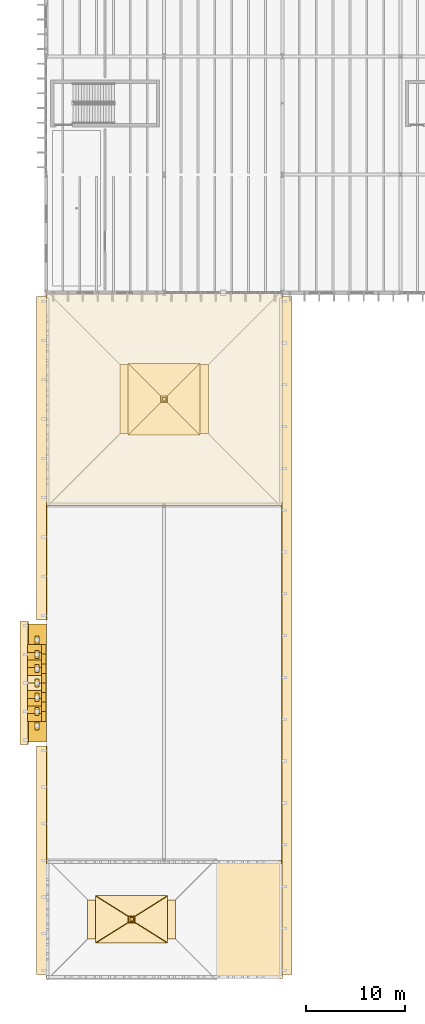
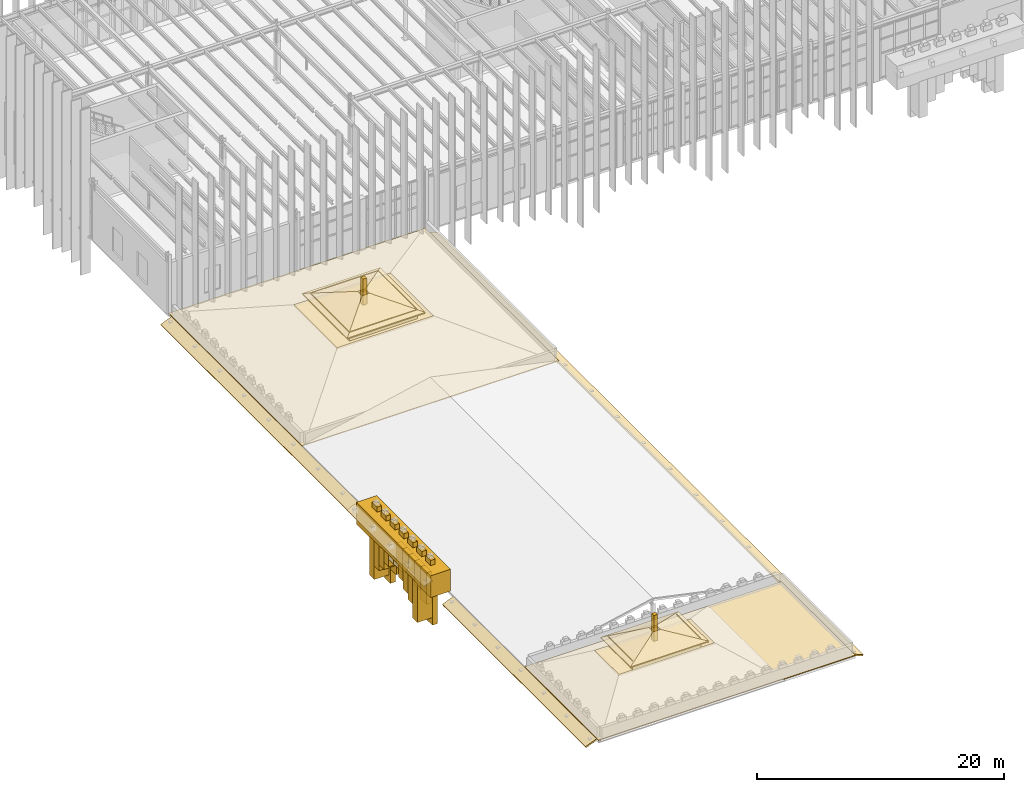
# One storey, part 59 of 83: 46 coverings.
"""IFC4 building model written with IfcOpenShell, lengths in metres."""

from ifc_helpers import new_model, si_unit, direction, frame, origin, place, context, subcontext, project, spatial, polyline, outline, extrude, material, layer, layer_set, type_object, element, save


model = new_model("IFC4")

# Units and contexts
model_context = context("Model", 3, precision=1e-05, world=origin(), true_north=direction((0.0, 1.0)))
body_context = subcontext(model_context, "Body", "Model", "MODEL_VIEW")
ifc_project = project(units=[si_unit("LENGTHUNIT", "METRE"), si_unit("AREAUNIT", "SQUARE_METRE"), si_unit("VOLUMEUNIT", "CUBIC_METRE"), si_unit("PLANEANGLEUNIT", "RADIAN"), si_unit("MASSUNIT", "GRAM", prefix="KILO")], contexts=[model_context])

# Site, building, storey
site_placement = place(None, origin())
site = spatial("IfcSite", under=ifc_project, at=site_placement, CompositionType="ELEMENT")
building_placement = place(site_placement, origin())
building = spatial("IfcBuilding", under=site, at=building_placement, Name="Zlatogorsky Bluff Art Gallery", CompositionType="ELEMENT")
storey_placement = place(building_placement, frame((0.0, 0.0, 10.800048828125)))
storey = spatial("IfcBuildingStorey", under=building, at=storey_placement, Name="L02", CompositionType="ELEMENT", Elevation=10.800048828125)

# Coverings
ifc_material_1 = material(Name="Honed Red Agra-Tone Quartzitic Sandstone", Category="masonry")
ifc_layer_1 = layer(ifc_material_1, 0.1201171875)
ifc_layer_set_1 = layer_set([ifc_layer_1], Name="Carved Sandstone Cladding CLD-02")
covering_type_1 = type_object("IfcCoveringType", Name="Carved Sandstone Cladding CLD-02", PredefinedType="CLADDING", material=ifc_layer_set_1)
covering_1_placement = place(storey_placement, frame((0.0, 0.0, 0.25)))
element("IfcCovering", 1, at=covering_1_placement, inside=storey, type_object=covering_type_1, Name="Pishtaq portal crown entablature PISHTAQ-SW-AUD", PredefinedType="CLADDING", context=body_context, shape_type="SweptSolid", body=[
    extrude(outline(polyline([(-1.85009765625, 38.39990234375), (-1.85009765625, 50.39990234375), (0.0400390625, 50.39990234375), (0.0400390625, 38.39990234375), (-1.85009765625, 38.39990234375)])), origin(), (0.0, 0.0, 1.0), 2.14990234375),
])
covering_2_placement = place(storey_placement, frame((0.0, 0.0, -3.485595703125)))
element("IfcCovering", 2, at=covering_2_placement, inside=storey, type_object=covering_type_1, Name="Pointed Mughal arch voussoir spandrel PISHTAQ-SW-AUD-ARCH.1", PredefinedType="CLADDING", context=body_context, shape_type="SweptSolid", body=[
    extrude(outline(polyline([(-1.85009765625, 40.510009765625), (-1.85009765625, 41.2880859375), (-0.389892578125, 41.2880859375), (-0.389892578125, 40.510009765625), (-1.85009765625, 40.510009765625)])), origin(), (0.0, 0.0, 1.0), 3.83544921875),
])
covering_3_placement = place(storey_placement, frame((0.0, 0.0, -2.1328125)))
element("IfcCovering", 3, at=covering_3_placement, inside=storey, type_object=covering_type_1, Name="Pointed Mughal arch voussoir spandrel PISHTAQ-SW-AUD-ARCH.2", PredefinedType="CLADDING", context=body_context, shape_type="SweptSolid", body=[
    extrude(outline(polyline([(-1.85009765625, 41.2880859375), (-1.85009765625, 42.06591796875), (-0.389892578125, 42.06591796875), (-0.389892578125, 41.2880859375), (-1.85009765625, 41.2880859375)])), origin(), (0.0, 0.0, 1.0), 2.482666015625),
])
covering_4_placement = place(storey_placement, frame((0.0, 0.0, -1.55126953125)))
element("IfcCovering", 4, at=covering_4_placement, inside=storey, type_object=covering_type_1, Name="Pointed Mughal arch voussoir spandrel PISHTAQ-SW-AUD-ARCH.3", PredefinedType="CLADDING", context=body_context, shape_type="SweptSolid", body=[
    extrude(outline(polyline([(-1.85009765625, 42.06591796875), (-1.85009765625, 42.843994140625), (-0.389892578125, 42.843994140625), (-0.389892578125, 42.06591796875), (-1.85009765625, 42.06591796875)])), origin(), (0.0, 0.0, 1.0), 1.901123046875),
])
covering_5_placement = place(storey_placement, frame((0.0, 0.0, -0.80810546875)))
element("IfcCovering", 5, at=covering_5_placement, inside=storey, type_object=covering_type_1, Name="Pointed Mughal arch voussoir spandrel PISHTAQ-SW-AUD-ARCH.4", PredefinedType="CLADDING", context=body_context, shape_type="SweptSolid", body=[
    extrude(outline(polyline([(-1.85009765625, 42.843994140625), (-1.85009765625, 43.6220703125), (-0.389892578125, 43.6220703125), (-0.389892578125, 42.843994140625), (-1.85009765625, 42.843994140625)])), origin(), (0.0, 0.0, 1.0), 1.157958984375),
])
covering_6_placement = place(storey_placement, frame((0.0, 0.0, -0.053955078125)))
element("IfcCovering", 6, at=covering_6_placement, inside=storey, type_object=covering_type_1, Name="Pointed Mughal arch voussoir spandrel PISHTAQ-SW-AUD-ARCH.5", PredefinedType="CLADDING", context=body_context, shape_type="SweptSolid", body=[
    extrude(outline(polyline([(-1.85009765625, 43.6220703125), (-1.85009765625, 44.39990234375), (-0.389892578125, 44.39990234375), (-0.389892578125, 43.6220703125), (-1.85009765625, 43.6220703125)])), origin(), (0.0, 0.0, 1.0), 0.40380859375),
])
covering_7_placement = place(storey_placement, frame((0.0, 0.0, -0.053955078125)))
element("IfcCovering", 7, at=covering_7_placement, inside=storey, type_object=covering_type_1, Name="Pointed Mughal arch voussoir spandrel PISHTAQ-SW-AUD-ARCH.6", PredefinedType="CLADDING", context=body_context, shape_type="SweptSolid", body=[
    extrude(outline(polyline([(-1.85009765625, 44.39990234375), (-1.85009765625, 45.177978515625), (-0.389892578125, 45.177978515625), (-0.389892578125, 44.39990234375), (-1.85009765625, 44.39990234375)])), origin(), (0.0, 0.0, 1.0), 0.40380859375),
])
covering_8_placement = place(storey_placement, frame((0.0, 0.0, -0.80810546875)))
element("IfcCovering", 8, at=covering_8_placement, inside=storey, type_object=covering_type_1, Name="Pointed Mughal arch voussoir spandrel PISHTAQ-SW-AUD-ARCH.7", PredefinedType="CLADDING", context=body_context, shape_type="SweptSolid", body=[
    extrude(outline(polyline([(-1.85009765625, 45.177978515625), (-1.85009765625, 45.9560546875), (-0.389892578125, 45.9560546875), (-0.389892578125, 45.177978515625), (-1.85009765625, 45.177978515625)])), origin(), (0.0, 0.0, 1.0), 1.157958984375),
])
covering_9_placement = place(storey_placement, frame((0.0, 0.0, -1.55126953125)))
element("IfcCovering", 9, at=covering_9_placement, inside=storey, type_object=covering_type_1, Name="Pointed Mughal arch voussoir spandrel PISHTAQ-SW-AUD-ARCH.8", PredefinedType="CLADDING", context=body_context, shape_type="SweptSolid", body=[
    extrude(outline(polyline([(-1.85009765625, 45.9560546875), (-1.85009765625, 46.73388671875), (-0.389892578125, 46.73388671875), (-0.389892578125, 45.9560546875), (-1.85009765625, 45.9560546875)])), origin(), (0.0, 0.0, 1.0), 1.901123046875),
])
covering_10_placement = place(storey_placement, frame((0.0, 0.0, -2.1328125)))
element("IfcCovering", 10, at=covering_10_placement, inside=storey, type_object=covering_type_1, Name="Pointed Mughal arch voussoir spandrel PISHTAQ-SW-AUD-ARCH.9", PredefinedType="CLADDING", context=body_context, shape_type="SweptSolid", body=[
    extrude(outline(polyline([(-1.85009765625, 46.73388671875), (-1.85009765625, 47.511962890625), (-0.389892578125, 47.511962890625), (-0.389892578125, 46.73388671875), (-1.85009765625, 46.73388671875)])), origin(), (0.0, 0.0, 1.0), 2.482666015625),
])
covering_11_placement = place(storey_placement, frame((0.0, 0.0, -3.485595703125)))
element("IfcCovering", 11, at=covering_11_placement, inside=storey, type_object=covering_type_1, Name="Pointed Mughal arch voussoir spandrel PISHTAQ-SW-AUD-ARCH.10", PredefinedType="CLADDING", context=body_context, shape_type="SweptSolid", body=[
    extrude(outline(polyline([(-1.85009765625, 47.511962890625), (-1.85009765625, 48.2900390625), (-0.389892578125, 48.2900390625), (-0.389892578125, 47.511962890625), (-1.85009765625, 47.511962890625)])), origin(), (0.0, 0.0, 1.0), 3.83544921875),
])
covering_12_placement = place(storey_placement, frame((0.0, 0.0, -4.245849609375)))
element("IfcCovering", 12, at=covering_12_placement, inside=storey, type_object=covering_type_1, Name="Pointed Mughal arch voussoir spandrel PISHTAQ-SW-AUD-IWAN.1", PredefinedType="CLADDING", context=body_context, shape_type="SweptSolid", body=[
    extrude(outline(polyline([(-0.4599609375, 40.510009765625), (-0.4599609375, 41.482421875), (0.030029296875, 41.482421875), (0.030029296875, 40.510009765625), (-0.4599609375, 40.510009765625)])), origin(), (0.0, 0.0, 1.0), 4.595703125),
])
covering_13_placement = place(storey_placement, frame((0.0, 0.0, -2.79931640625)))
element("IfcCovering", 13, at=covering_13_placement, inside=storey, type_object=covering_type_1, Name="Pointed Mughal arch voussoir spandrel PISHTAQ-SW-AUD-IWAN.2", PredefinedType="CLADDING", context=body_context, shape_type="SweptSolid", body=[
    extrude(outline(polyline([(-0.4599609375, 41.482421875), (-0.4599609375, 42.455078125), (0.030029296875, 42.455078125), (0.030029296875, 41.482421875), (-0.4599609375, 41.482421875)])), origin(), (0.0, 0.0, 1.0), 3.149169921875),
])
covering_14_placement = place(storey_placement, frame((0.0, 0.0, -2.001708984375)))
element("IfcCovering", 14, at=covering_14_placement, inside=storey, type_object=covering_type_1, Name="Pointed Mughal arch voussoir spandrel PISHTAQ-SW-AUD-IWAN.3", PredefinedType="CLADDING", context=body_context, shape_type="SweptSolid", body=[
    extrude(outline(polyline([(-0.4599609375, 42.455078125), (-0.4599609375, 43.427490234375), (0.030029296875, 43.427490234375), (0.030029296875, 42.455078125), (-0.4599609375, 42.455078125)])), origin(), (0.0, 0.0, 1.0), 2.3515625),
])
covering_15_placement = place(storey_placement, frame((0.0, 0.0, -0.998291015625)))
element("IfcCovering", 15, at=covering_15_placement, inside=storey, type_object=covering_type_1, Name="Pointed Mughal arch voussoir spandrel PISHTAQ-SW-AUD-IWAN.4", PredefinedType="CLADDING", context=body_context, shape_type="SweptSolid", body=[
    extrude(outline(polyline([(-0.4599609375, 43.427490234375), (-0.4599609375, 44.39990234375), (0.030029296875, 44.39990234375), (0.030029296875, 43.427490234375), (-0.4599609375, 43.427490234375)])), origin(), (0.0, 0.0, 1.0), 1.34814453125),
])
covering_16_placement = place(storey_placement, frame((0.0, 0.0, -0.998291015625)))
element("IfcCovering", 16, at=covering_16_placement, inside=storey, type_object=covering_type_1, Name="Pointed Mughal arch voussoir spandrel PISHTAQ-SW-AUD-IWAN.5", PredefinedType="CLADDING", context=body_context, shape_type="SweptSolid", body=[
    extrude(outline(polyline([(-0.4599609375, 44.39990234375), (-0.4599609375, 45.37255859375), (0.030029296875, 45.37255859375), (0.030029296875, 44.39990234375), (-0.4599609375, 44.39990234375)])), origin(), (0.0, 0.0, 1.0), 1.34814453125),
])
covering_17_placement = place(storey_placement, frame((0.0, 0.0, -2.001708984375)))
element("IfcCovering", 17, at=covering_17_placement, inside=storey, type_object=covering_type_1, Name="Pointed Mughal arch voussoir spandrel PISHTAQ-SW-AUD-IWAN.6", PredefinedType="CLADDING", context=body_context, shape_type="SweptSolid", body=[
    extrude(outline(polyline([(-0.4599609375, 45.37255859375), (-0.4599609375, 46.344970703125), (0.030029296875, 46.344970703125), (0.030029296875, 45.37255859375), (-0.4599609375, 45.37255859375)])), origin(), (0.0, 0.0, 1.0), 2.3515625),
])
covering_18_placement = place(storey_placement, frame((0.0, 0.0, -2.79931640625)))
element("IfcCovering", 18, at=covering_18_placement, inside=storey, type_object=covering_type_1, Name="Pointed Mughal arch voussoir spandrel PISHTAQ-SW-AUD-IWAN.7", PredefinedType="CLADDING", context=body_context, shape_type="SweptSolid", body=[
    extrude(outline(polyline([(-0.4599609375, 46.344970703125), (-0.4599609375, 47.3173828125), (0.030029296875, 47.3173828125), (0.030029296875, 46.344970703125), (-0.4599609375, 46.344970703125)])), origin(), (0.0, 0.0, 1.0), 3.149169921875),
])
covering_19_placement = place(storey_placement, frame((0.0, 0.0, -4.245849609375)))
element("IfcCovering", 19, at=covering_19_placement, inside=storey, type_object=covering_type_1, Name="Pointed Mughal arch voussoir spandrel PISHTAQ-SW-AUD-IWAN.8", PredefinedType="CLADDING", context=body_context, shape_type="SweptSolid", body=[
    extrude(outline(polyline([(-0.4599609375, 47.3173828125), (-0.4599609375, 48.2900390625), (0.030029296875, 48.2900390625), (0.030029296875, 47.3173828125), (-0.4599609375, 47.3173828125)])), origin(), (0.0, 0.0, 1.0), 4.595703125),
])
covering_20_placement = place(storey_placement, frame((-1.81005859375, 38.14990234375, 2.119873046875), z_axis=(-0.382934866125, 0.0, 0.923775345149), x_axis=(0.0, 1.0, 0.0)))
element("IfcCovering", 20, at=covering_20_placement, inside=storey, type_object=covering_type_1, Name="Projecting sloped Mughal chhajja stone eave PISHTAQ-SW-AUD-CHJ", PredefinedType="CLADDING", context=body_context, shape_type="SweptSolid", body=[
    extrude(outline(polyline([(0.0, 0.0), (12.5, 0.0), (12.5, 0.8874714215472577), (0.0, 0.8874714215472577), (0.0, 0.0)])), origin(), (0.0, 0.0, -1.0), 0.139892578125),
])
covering_21_placement = place(storey_placement, frame((0.0, 0.0, 2.369873046875)))
element("IfcCovering", 21, at=covering_21_placement, inside=storey, type_object=covering_type_1, Name="Kangura stepped merlon base PISHTAQ-SW-AUD.1", PredefinedType="CLADDING", context=body_context, shape_type="SweptSolid", body=[
    extrude(outline(polyline([(-1.114990234375, 39.639892578125), (-1.114990234375, 40.4599609375), (-0.695068359375, 40.4599609375), (-0.695068359375, 39.639892578125), (-1.114990234375, 39.639892578125)])), origin(), (0.0, 0.0, 1.0), 0.53857421875),
])
covering_22_placement = place(storey_placement, frame((0.0, 0.0, 2.369873046875)))
element("IfcCovering", 22, at=covering_22_placement, inside=storey, type_object=covering_type_1, Name="Kangura stepped merlon base PISHTAQ-SW-AUD.2", PredefinedType="CLADDING", context=body_context, shape_type="SweptSolid", body=[
    extrude(outline(polyline([(-1.114990234375, 41.090087890625), (-1.114990234375, 41.909912109375), (-0.695068359375, 41.909912109375), (-0.695068359375, 41.090087890625), (-1.114990234375, 41.090087890625)])), origin(), (0.0, 0.0, 1.0), 0.53857421875),
])
covering_23_placement = place(storey_placement, frame((0.0, 0.0, 2.369873046875)))
element("IfcCovering", 23, at=covering_23_placement, inside=storey, type_object=covering_type_1, Name="Kangura stepped merlon base PISHTAQ-SW-AUD.3", PredefinedType="CLADDING", context=body_context, shape_type="SweptSolid", body=[
    extrude(outline(polyline([(-1.114990234375, 42.5400390625), (-1.114990234375, 43.360107421875), (-0.695068359375, 43.360107421875), (-0.695068359375, 42.5400390625), (-1.114990234375, 42.5400390625)])), origin(), (0.0, 0.0, 1.0), 0.53857421875),
])
covering_24_placement = place(storey_placement, frame((0.0, 0.0, 2.369873046875)))
element("IfcCovering", 24, at=covering_24_placement, inside=storey, type_object=covering_type_1, Name="Kangura stepped merlon base PISHTAQ-SW-AUD.4", PredefinedType="CLADDING", context=body_context, shape_type="SweptSolid", body=[
    extrude(outline(polyline([(-1.114990234375, 43.989990234375), (-1.114990234375, 44.81005859375), (-0.695068359375, 44.81005859375), (-0.695068359375, 43.989990234375), (-1.114990234375, 43.989990234375)])), origin(), (0.0, 0.0, 1.0), 0.53857421875),
])
covering_25_placement = place(storey_placement, frame((0.0, 0.0, 2.369873046875)))
element("IfcCovering", 25, at=covering_25_placement, inside=storey, type_object=covering_type_1, Name="Kangura stepped merlon base PISHTAQ-SW-AUD.5", PredefinedType="CLADDING", context=body_context, shape_type="SweptSolid", body=[
    extrude(outline(polyline([(-1.114990234375, 45.43994140625), (-1.114990234375, 46.260009765625), (-0.695068359375, 46.260009765625), (-0.695068359375, 45.43994140625), (-1.114990234375, 45.43994140625)])), origin(), (0.0, 0.0, 1.0), 0.53857421875),
])
covering_26_placement = place(storey_placement, frame((0.0, 0.0, 2.369873046875)))
element("IfcCovering", 26, at=covering_26_placement, inside=storey, type_object=covering_type_1, Name="Kangura stepped merlon base PISHTAQ-SW-AUD.6", PredefinedType="CLADDING", context=body_context, shape_type="SweptSolid", body=[
    extrude(outline(polyline([(-1.114990234375, 46.889892578125), (-1.114990234375, 47.7099609375), (-0.695068359375, 47.7099609375), (-0.695068359375, 46.889892578125), (-1.114990234375, 46.889892578125)])), origin(), (0.0, 0.0, 1.0), 0.53857421875),
])
covering_27_placement = place(storey_placement, frame((0.0, 0.0, 2.369873046875)))
element("IfcCovering", 27, at=covering_27_placement, inside=storey, type_object=covering_type_1, Name="Kangura stepped merlon base PISHTAQ-SW-AUD.7", PredefinedType="CLADDING", context=body_context, shape_type="SweptSolid", body=[
    extrude(outline(polyline([(-1.114990234375, 48.340087890625), (-1.114990234375, 49.159912109375), (-0.695068359375, 49.159912109375), (-0.695068359375, 48.340087890625), (-1.114990234375, 48.340087890625)])), origin(), (0.0, 0.0, 1.0), 0.53857421875),
])
covering_28_placement = place(storey_placement, frame((23.9599609375, 83.60009765625, -0.0400390625), z_axis=(0.380683013172, 0.0, 0.924705598276), x_axis=(0.0, -1.0, 0.0)))
element("IfcCovering", 28, at=covering_28_placement, inside=storey, type_object=covering_type_1, Name="Projecting sloped Mughal chhajja stone eave CHJ-SW-E-L02", PredefinedType="CLADDING", context=body_context, shape_type="SweptSolid", body=[
    extrude(outline(polyline([(0.0, 0.0), (68.800048828125, 0.0), (68.800048828125, 1.1030748955691927), (0.0, 1.1030748955691927), (0.0, 0.0)])), origin(), (0.0, 0.0, -1.0), 0.139892578125),
])
covering_29_placement = place(storey_placement, frame((0.0400390625, 14.800048828125, -0.0400390625), z_axis=(-0.380683013172, 0.0, 0.924705598276), x_axis=(0.0, 1.0, 0.0)))
element("IfcCovering", 29, at=covering_29_placement, inside=storey, type_object=covering_type_1, Name="Projecting sloped Mughal chhajja stone eave CHJ-SW-W-L02A", PredefinedType="CLADDING", context=body_context, shape_type="SweptSolid", body=[
    extrude(outline(polyline([(0.0, 0.0), (23.199951171875, 0.0), (23.199951171875, 1.1030748955691927), (0.0, 1.1030748955691927), (0.0, 0.0)])), origin(), (0.0, 0.0, -1.0), 0.139892578125),
])
covering_30_placement = place(storey_placement, frame((0.0400390625, 50.800048828125, -0.0400390625), z_axis=(-0.380683013172, 0.0, 0.924705598276), x_axis=(0.0, 1.0, 0.0)))
element("IfcCovering", 30, at=covering_30_placement, inside=storey, type_object=covering_type_1, Name="Projecting sloped Mughal chhajja stone eave CHJ-SW-W-L02B", PredefinedType="CLADDING", context=body_context, shape_type="SweptSolid", body=[
    extrude(outline(polyline([(0.0, 0.0), (32.800048828125, 0.0), (32.800048828125, 1.1030748955691927), (0.0, 1.1030748955691927), (0.0, 0.0)])), origin(), (0.0, 0.0, -1.0), 0.139892578125),
])
covering_31_placement = place(storey_placement, frame((0.0, 0.0, 2.469970703125)))
element("IfcCovering", 31, at=covering_31_placement, inside=storey, type_object=covering_type_1, Name="Mughal pavilion upper deck RF-SW-PAV", PredefinedType="CLADDING", context=body_context, shape_type="SweptSolid", body=[
    extrude(outline(polyline([(4.23193359375, 18.431884765625), (13.16796875, 18.431884765625), (13.16796875, 22.367919921875), (4.23193359375, 22.367919921875), (4.23193359375, 18.431884765625)])), origin(), (0.0, 0.0, 1.0), 0.179931640625),
])
covering_32_placement = place(storey_placement, frame((0.0, 0.0, 2.60986328125)))
element("IfcCovering", 32, at=covering_32_placement, inside=storey, type_object=covering_type_1, Name="Mughal chhatri lantern pavilion drum RF-SW-PAV", PredefinedType="CLADDING", context=body_context, shape_type="SweptSolid", body=[
    extrude(outline(polyline([(5.5, 18.431884765625), (11.89990234375, 18.431884765625), (11.89990234375, 22.367919921875), (5.5, 22.367919921875), (5.5, 18.431884765625)])), origin(), (0.0, 0.0, 1.0), 0.925048828125),
])
for number, where, z_axis, x_axis, name in (
    (33, (5.050048828125, 17.98193359375, 3.375), (0.0, -0.452720684905, 0.891652388243), (1.0, 0.0, 0.0), "Mughal chhatri pavilion cap RF-SW-PAV.CS"),
    (34, (12.35009765625, 22.818115234375, 3.375), (0.0, 0.452720684905, 0.891652388243), (-1.0, 0.0, 0.0), "Mughal chhatri pavilion cap RF-SW-PAV.CN"),
):
    element("IfcCovering", number, at=place(storey_placement, frame(where, z_axis=z_axis, x_axis=x_axis)), inside=storey, type_object=covering_type_1, Name=name, PredefinedType="CLADDING", context=body_context, shape_type="SweptSolid", body=[
        extrude(outline(polyline([(0.0, 0.0), (7.300048828125, 0.0), (4.0, 2.319418712544298), (3.300048828125, 2.319418712544298), (0.0, 0.0)])), origin(), (0.0, 0.0, -1.0), 0.139892578125),
    ])
for number, where, z_axis, x_axis, name in (
    (35, (5.050048828125, 22.818115234375, 3.375), (-0.303212386862, 0.0, 0.952923002374), (0.0, -1.0, 0.0), "Mughal chhatri pavilion cap RF-SW-PAV.CW"),
    (36, (12.35009765625, 17.98193359375, 3.375), (0.303212386862, 0.0, 0.952923002374), (0.0, 1.0, 0.0), "Mughal chhatri pavilion cap RF-SW-PAV.CE"),
):
    element("IfcCovering", number, at=place(storey_placement, frame(where, z_axis=z_axis, x_axis=x_axis)), inside=storey, type_object=covering_type_1, Name=name, PredefinedType="CLADDING", context=body_context, shape_type="SweptSolid", body=[
        extrude(outline(polyline([(0.0, 0.0), (4.836181640625, 0.0), (2.76806640625, 3.4630802487750514), (2.068115234375, 3.4630802487750514), (0.0, 0.0)])), origin(), (0.0, 0.0, -1.0), 0.139892578125),
    ])
covering_33_placement = place(storey_placement, frame((0.0, 0.0, 2.52001953125)))
element("IfcCovering", 37, at=covering_33_placement, inside=storey, type_object=covering_type_1, Name="Mughal pavilion upper deck RF-WLINK-PAV", PredefinedType="CLADDING", context=body_context, shape_type="SweptSolid", body=[
    extrude(outline(polyline([(7.49609375, 69.696044921875), (16.50390625, 69.696044921875), (16.50390625, 76.7041015625), (7.49609375, 76.7041015625), (7.49609375, 69.696044921875)])), origin(), (0.0, 0.0, 1.0), 0.179931640625),
])
covering_34_placement = place(storey_placement, frame((0.0, 0.0, 2.659912109375)))
element("IfcCovering", 38, at=covering_34_placement, inside=storey, type_object=covering_type_1, Name="Mughal chhatri lantern pavilion drum RF-WLINK-PAV", PredefinedType="CLADDING", context=body_context, shape_type="SweptSolid", body=[
    extrude(outline(polyline([(8.800048828125, 70.0), (15.199951171875, 70.0), (15.199951171875, 76.39990234375), (8.800048828125, 76.39990234375), (8.800048828125, 70.0)])), origin(), (0.0, 0.0, 1.0), 0.925048828125),
])
for number, where, z_axis, x_axis, name in (
    (39, (8.35009765625, 69.550048828125, 3.425048828125), (0.0, -0.303148368134, 0.952943370247), (1.0, 0.0, 0.0), "Mughal chhatri pavilion cap RF-WLINK-PAV.CS"),
    (40, (15.64990234375, 76.85009765625, 3.425048828125), (0.0, 0.303148368134, 0.952943370247), (-1.0, 0.0, 0.0), "Mughal chhatri pavilion cap RF-WLINK-PAV.CN"),
):
    element("IfcCovering", number, at=place(storey_placement, frame(where, z_axis=z_axis, x_axis=x_axis)), inside=storey, type_object=covering_type_1, Name=name, PredefinedType="CLADDING", context=body_context, shape_type="SweptSolid", body=[
        extrude(outline(polyline([(0.0, 0.0), (7.2998046875, 0.0), (4.0, 3.4630062301281175), (3.2998046875, 3.4630062301281175), (0.0, 0.0)])), origin(), (0.0, 0.0, -1.0), 0.139892578125),
    ])
for number, where, z_axis, x_axis, name in (
    (41, (8.35009765625, 76.85009765625, 3.425048828125), (-0.303168735591, 0.0, 0.952936890754), (0.0, -1.0, 0.0), "Mughal chhatri pavilion cap RF-WLINK-PAV.CW"),
    (42, (15.64990234375, 69.550048828125, 3.425048828125), (0.303168735591, 0.0, 0.952936890754), (0.0, 1.0, 0.0), "Mughal chhatri pavilion cap RF-WLINK-PAV.CE"),
):
    element("IfcCovering", number, at=place(storey_placement, frame(where, z_axis=z_axis, x_axis=x_axis)), inside=storey, type_object=covering_type_1, Name=name, PredefinedType="CLADDING", context=body_context, shape_type="SweptSolid", body=[
        extrude(outline(polyline([(0.0, 0.0), (7.300048828125, 0.0), (4.0, 3.4627735787290437), (3.300048828125, 3.4627735787290437), (0.0, 0.0)])), origin(), (0.0, 0.0, -1.0), 0.139892578125),
    ])
ifc_material_2 = material(Name="EPDM and Red-Sandstone Ballast Roofing", Category="masonry")
ifc_layer_2 = layer(ifc_material_2, 0.080078125)
ifc_layer_set_2 = layer_set([ifc_layer_2], Name="Insulated Roof Membrane RFM-01")
covering_type_2 = type_object("IfcCoveringType", Name="Insulated Roof Membrane RFM-01", PredefinedType="ROOFING", material=ifc_layer_set_2)
covering_35_placement = place(storey_placement, origin())
element("IfcCovering", 43, at=covering_35_placement, inside=storey, type_object=covering_type_2, Name="Roof membrane ROOF-FLAT-L02-01", PredefinedType="ROOFING", context=body_context, shape_type="SweptSolid", body=[
    extrude(outline(polyline([(12.0, 26.39990234375), (24.0, 26.39990234375), (24.0, 14.39990234375), (12.0, 14.39990234375), (0.0, 14.39990234375), (0.0, 26.39990234375), (12.0, 26.39990234375)])), origin(), (0.0, 0.0, 1.0), 0.079833984375),
])
covering_36_placement = place(storey_placement, origin())
element("IfcCovering", 44, at=covering_36_placement, inside=storey, type_object=covering_type_2, Name="Roof membrane ROOF-FLAT-L02-03", PredefinedType="ROOFING", context=body_context, shape_type="SweptSolid", body=[
    extrude(outline(polyline([(0.0, 84.0), (12.0, 84.0), (24.0, 84.0), (24.0, 74.39990234375), (24.0, 62.39990234375), (12.0, 62.39990234375), (0.0, 62.39990234375), (0.0, 74.39990234375), (0.0, 84.0)])), origin(), (0.0, 0.0, 1.0), 0.079833984375),
])
ifc_material_3 = material(Name="Patinated Architectural Bronze Fin", Category="metal")
ifc_layer_3 = layer(ifc_material_3, 0.110107421875)
ifc_layer_set_3 = layer_set([ifc_layer_3], Name="Vertical Gallery Fin FIN-01")
covering_type_3 = type_object("IfcCoveringType", Name="Vertical Gallery Fin FIN-01", PredefinedType="CLADDING", material=ifc_layer_set_3)
covering_37_placement = place(storey_placement, frame((0.0, 0.0, 3.31494140625)))
element("IfcCovering", 45, at=covering_37_placement, inside=storey, type_object=covering_type_3, Name="Bronze kalasha pinnacle finial RF-SW-PAV", PredefinedType="CLADDING", context=body_context, shape_type="SweptSolid", body=[
    extrude(outline(polyline([(8.52001953125, 20.219970703125), (8.8798828125, 20.219970703125), (8.8798828125, 20.580078125), (8.52001953125, 20.580078125), (8.52001953125, 20.219970703125)])), origin(), (0.0, 0.0, 1.0), 2.56005859375),
])
covering_38_placement = place(storey_placement, frame((0.0, 0.0, 3.364990234375)))
element("IfcCovering", 46, at=covering_38_placement, inside=storey, type_object=covering_type_3, Name="Bronze kalasha pinnacle finial RF-WLINK-PAV", PredefinedType="CLADDING", context=body_context, shape_type="SweptSolid", body=[
    extrude(outline(polyline([(11.820068359375, 73.02001953125), (12.179931640625, 73.02001953125), (12.179931640625, 73.3798828125), (11.820068359375, 73.3798828125), (11.820068359375, 73.02001953125)])), origin(), (0.0, 0.0, 1.0), 2.56005859375),
])

save(model, "model.ifc")
